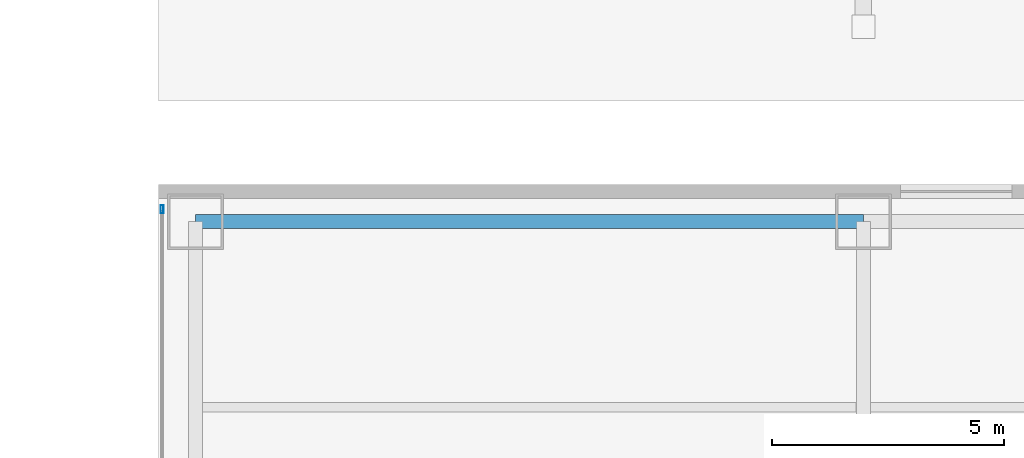
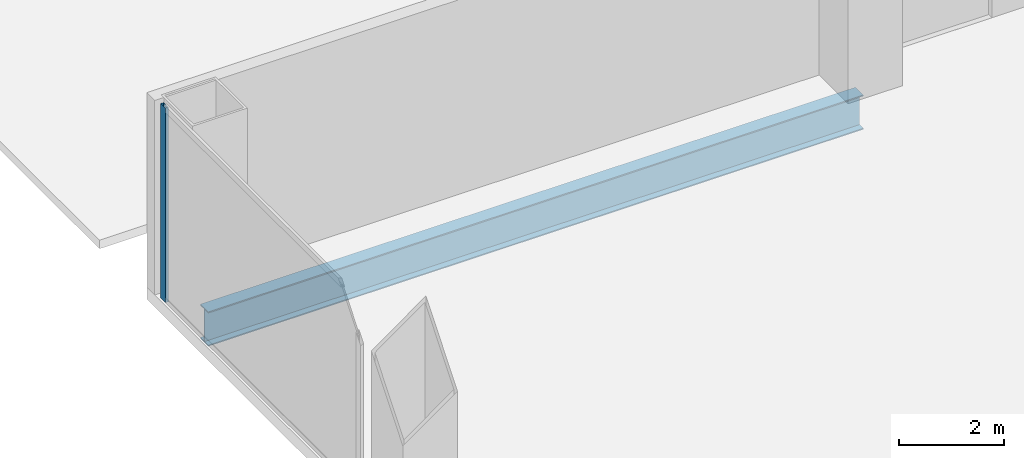
# One storey, part 38 of 58: 1 beam, 1 member, 1 element without a shape of its own.
"""IFC4 building model written with IfcOpenShell, lengths in metres."""

from ifc_helpers import new_model, si_unit, direction, frame, origin, origin_2d, place, context, subcontext, project, spatial, hollow_rectangle, i_section, extrude, source, transform, mapped, material, layer, layer_set, material_profile, profile_set, type_object, element, aggregate, save


model = new_model("IFC4")

# Units and contexts
model_context = context("Model", 3, precision=1e-05, world=origin(), true_north=direction((0.0, 1.0)))
body_context = subcontext(model_context, "Body", "Model", "MODEL_VIEW")
ifc_project = project(units=[si_unit("LENGTHUNIT", "METRE"), si_unit("AREAUNIT", "SQUARE_METRE"), si_unit("VOLUMEUNIT", "CUBIC_METRE"), si_unit("PLANEANGLEUNIT", "RADIAN"), si_unit("MASSUNIT", "GRAM", prefix="KILO"), si_unit("THERMODYNAMICTEMPERATUREUNIT", "KELVIN"), si_unit("POWERUNIT", "WATT")], contexts=[model_context])

# Site, building, storey
site_placement = place(None, origin())
site = spatial("IfcSite", under=ifc_project, at=site_placement, CompositionType="ELEMENT")
building_placement = place(site_placement, origin())
building = spatial("IfcBuilding", under=site, at=building_placement, Name="Yunzhuo Pagoda Commons", CompositionType="ELEMENT")
storey_placement = place(building_placement, origin())
storey = spatial("IfcBuildingStorey", under=building, at=storey_placement, Name="L01", CompositionType="ELEMENT", Elevation=0.0)

# Beam
ifc_material_1 = material(Name="Structural steel Q355B", Category="steel")
ifc_material_profile_1 = material_profile(ifc_material_1, i_section(OverallWidth=0.300048828125, OverallDepth=0.800048828125, WebThickness=0.013916015625, FlangeThickness=0.02587890625, at=origin_2d()), Name="Structural steel Q355B")
ifc_profile_set_1 = profile_set([ifc_material_profile_1], Name="Structural steel Q355B")
beam_type = type_object("IfcBeamType", Name="B-PD2 Beam HN 800x300x14x26", PredefinedType="BEAM", material=ifc_profile_set_1)
shared_shape_1 = source(origin(), body_context, "Body", "SweptSolid", [
    extrude(i_section(OverallWidth=0.300048828125, OverallDepth=0.800048828125, WebThickness=0.013916015625, FlangeThickness=0.02587890625, at=origin_2d()), origin(), (0.0, 0.0, 1.0), 14.39990234375),
])
beam_placement = place(storey_placement, frame((4.800048828125, 89.199951171875, -0.679931640625), z_axis=(1.0, 0.0, 0.0), x_axis=(0.0, 1.0, 0.0)))
element("IfcBeam", 1, at=beam_placement, inside=storey, type_object=beam_type, Name="L01 podium girder EW 6.1", PredefinedType="BEAM", context=body_context, shape_type="MappedRepresentation", body=[
    mapped(shared_shape_1, transform((0.0, 0.0, 0.0), scale=1.0)),
])

# Curtain wall, member
ifc_material_2 = material(Name="Anodized aluminium 6063-T6", Category="aluminium")
ifc_layer = layer(ifc_material_2, 0.179931640625)
ifc_layer_set = layer_set([ifc_layer], Name="Anodized aluminium 6063-T6")
curtain_wall_type = type_object("IfcCurtainWallType", Name="CW-POD Waterfront Podium Curtain Wall", PredefinedType="NOTDEFINED", material=ifc_layer_set)
curtain_wall_placement = place(storey_placement, origin())
curtain_wall = element("IfcCurtainWall", 2, at=curtain_wall_placement, inside=storey, type_object=curtain_wall_type, Name="L01 curtain wall CW-L01-W5", PredefinedType="NOTDEFINED")
ifc_material_profile_2 = material_profile(ifc_material_2, hollow_rectangle(XDim=0.06494140625, YDim=0.179931640625, WallThickness=0.00390625, at=origin_2d()), Name="Anodized aluminium 6063-T6")
ifc_profile_set_2 = profile_set([ifc_material_profile_2], Name="Anodized aluminium 6063-T6")
member_type = type_object("IfcMemberType", Name="CW-POD-M Mullion RHS 180x65x4", PredefinedType="MULLION", material=ifc_profile_set_2)
shared_shape_2 = source(origin(), body_context, "Body", "SweptSolid", [
    extrude(hollow_rectangle(XDim=0.06494140625, YDim=0.179931640625, WallThickness=0.00390625, at=origin_2d()), origin(), (0.0, 0.0, 1.0), 4.520263671875),
])
member_placement = place(storey_placement, frame((4.080078125, 89.467529296875, 0.0), z_axis=(0.0, 0.0, 1.0), x_axis=(-1.0, 0.0, 0.0)))
member = element("IfcMember", 3, at=member_placement, type_object=member_type, Name="CW mullion 2", PredefinedType="MULLION", context=body_context, shape_type="MappedRepresentation", body=[
    mapped(shared_shape_2, transform((0.0, 0.0, 0.0), scale=1.0)),
])
aggregate(curtain_wall, [member])

save(model, "model.ifc")
